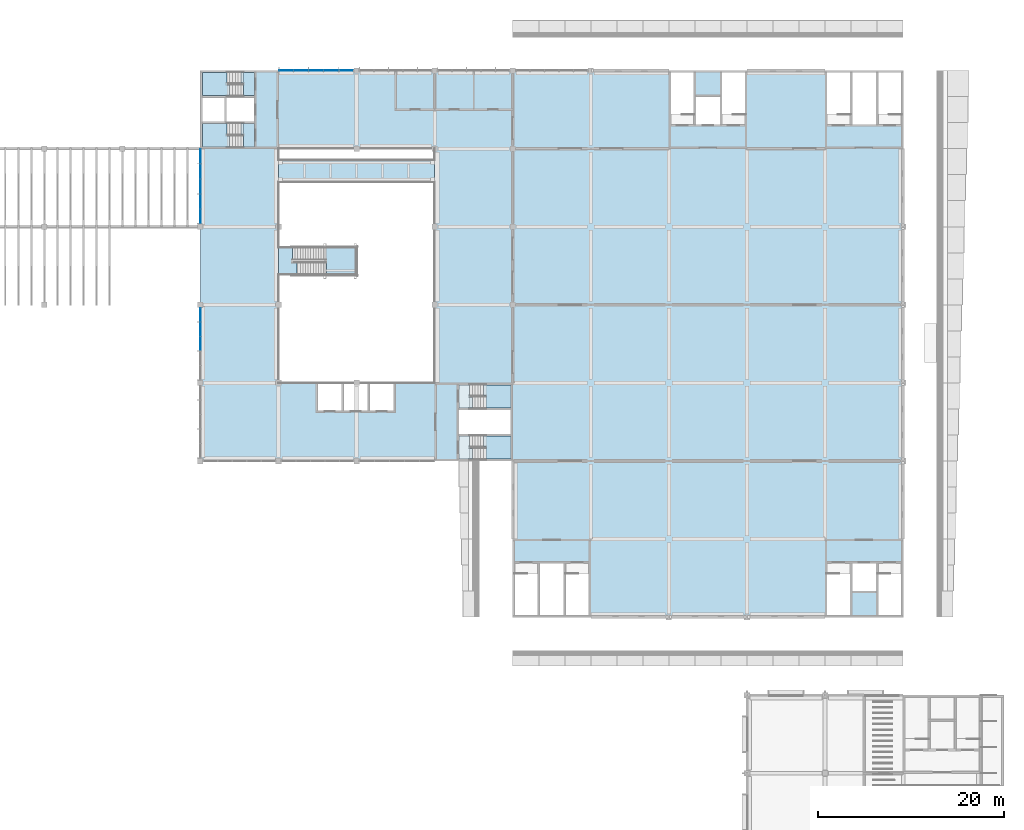
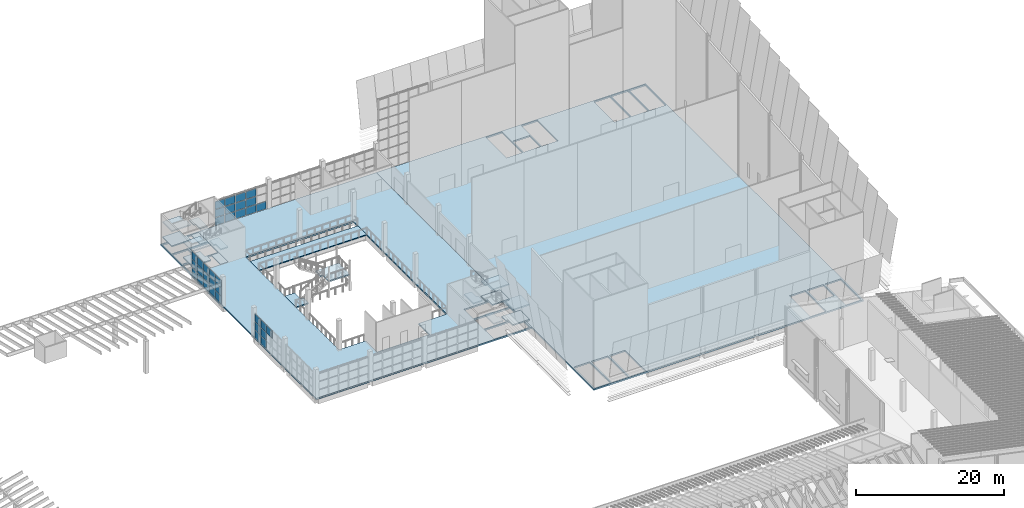
# One storey, part 16 of 59: 35 plates, 19 slabs, 8 elements without a shape of their own.
"""IFC4 building model written with IfcOpenShell, lengths in metres."""

from ifc_helpers import new_model, si_unit, direction, frame, origin, origin_2d, place, context, subcontext, project, spatial, polyline, rectangle, outline, extrude, material, layer, layer_set, type_object, element, aggregate, save


model = new_model("IFC4")

# Units and contexts
model_context = context("Model", 3, precision=1e-05, world=origin(), true_north=direction((0.0, 1.0)))
body_context = subcontext(model_context, "Body", "Model", "MODEL_VIEW")
ifc_project = project(units=[si_unit("LENGTHUNIT", "METRE"), si_unit("AREAUNIT", "SQUARE_METRE"), si_unit("VOLUMEUNIT", "CUBIC_METRE"), si_unit("PLANEANGLEUNIT", "RADIAN"), si_unit("MASSUNIT", "GRAM", prefix="KILO")], contexts=[model_context])

# Site, building, storey
site_placement = place(None, origin())
site = spatial("IfcSite", under=ifc_project, at=site_placement, CompositionType="ELEMENT")
building_placement = place(site_placement, origin())
building = spatial("IfcBuilding", under=site, at=building_placement, Name="Almond Square Museum", CompositionType="ELEMENT")
storey_placement = place(building_placement, frame((0.0, 0.0, 25.0)))
storey = spatial("IfcBuildingStorey", under=building, at=storey_placement, Name="L04", CompositionType="ELEMENT", Elevation=25.0)

# Slab
ifc_material_1 = material(Name="Concrete C35/45", Category="concrete")
ifc_layer_1 = layer(ifc_material_1, 0.14990234375)
ifc_layer_set_1 = layer_set([ifc_layer_1], Name="Concrete C35/45")
slab_type_1 = type_object("IfcSlabType", Name="Bridge deck slab 150", PredefinedType="FLOOR", material=ifc_layer_set_1)
slab_1_placement = place(storey_placement, frame((0.0, 0.0, -0.14990234375)))
element("IfcSlab", 1, at=slab_1_placement, inside=storey, type_object=slab_type_1, Name="Bridge 6 deck", PredefinedType="FLOOR", context=body_context, shape_type="SweptSolid", body=[
    extrude(outline(polyline([(81.60009765625, 97.199951171875), (98.39990234375, 97.199951171875), (98.39990234375, 99.60009765625), (81.60009765625, 99.60009765625), (81.60009765625, 97.199951171875)])), origin(), (0.0, 0.0, 1.0), 0.14990234375),
])

# Stair, slabs
ifc_material_2 = material(Name="Concrete C40/50", Category="concrete")
stair_type_1 = type_object("IfcStairType", Name="Exit stair 28 risers of 179 mm", PredefinedType="HALF_TURN_STAIR", material=ifc_material_2)
stair_1_placement = place(storey_placement, origin())
stair_1 = element("IfcStair", 2, at=stair_1_placement, inside=storey, type_object=stair_type_1, Name="L04 stair A1-1", PredefinedType="HALF_TURN_STAIR")
ifc_material_3 = material(Name="Concrete C40/50", Category="concrete")
ifc_layer_2 = layer(ifc_material_3, 0.199951171875)
ifc_layer_set_2 = layer_set([ifc_layer_2], Name="Concrete C40/50")
slab_type_2 = type_object("IfcSlabType", Name="Concrete stair landing 200", PredefinedType="LANDING", material=ifc_layer_set_2)
slab_2_placement = place(storey_placement, frame((0.0, 0.0, 1.050048828125)))
slab_2 = element("IfcSlab", 3, at=slab_2_placement, type_object=slab_type_2, Name="ST-09 landing 1", PredefinedType="LANDING", context=body_context, shape_type="SweptSolid", body=[
    extrude(outline(polyline([(76.052978515625, 103.5), (73.39990234375, 103.5), (73.39990234375, 101.0), (76.35009765625, 101.0), (76.35009765625, 102.14990234375), (76.052978515625, 102.14990234375), (76.052978515625, 103.5)])), origin(), (0.0, 0.0, 1.0), 0.199951171875),
])
slab_3_placement = place(storey_placement, frame((0.0, 0.0, 2.300048828125)))
slab_3 = element("IfcSlab", 4, at=slab_3_placement, type_object=slab_type_2, Name="ST-09 landing 2", PredefinedType="LANDING", context=body_context, shape_type="SweptSolid", body=[
    extrude(outline(polyline([(79.0, 103.5), (77.85009765625, 103.5), (77.550048828125, 103.5), (77.550048828125, 102.35009765625), (77.846923828125, 102.35009765625), (77.846923828125, 101.0), (79.0, 101.0), (79.0, 103.5)])), origin(), (0.0, 0.0, 1.0), 0.199951171875),
])
slab_4_placement = place(storey_placement, frame((0.0, 0.0, 3.550048828125)))
slab_4 = element("IfcSlab", 5, at=slab_4_placement, type_object=slab_type_2, Name="ST-09 landing 3", PredefinedType="LANDING", context=body_context, shape_type="SweptSolid", body=[
    extrude(outline(polyline([(76.052978515625, 103.5), (73.39990234375, 103.5), (73.39990234375, 101.0), (76.35009765625, 101.0), (76.35009765625, 102.14990234375), (76.052978515625, 102.14990234375), (76.052978515625, 103.5)])), origin(), (0.0, 0.0, 1.0), 0.199951171875),
])
aggregate(stair_1, [slab_2, slab_3, slab_4])

stair_2_placement = place(storey_placement, origin())
stair_2 = element("IfcStair", 6, at=stair_2_placement, inside=storey, type_object=stair_type_1, Name="L04 stair A1-2", PredefinedType="HALF_TURN_STAIR")
slab_5_placement = place(storey_placement, frame((0.0, 0.0, 1.050048828125)))
slab_5 = element("IfcSlab", 7, at=slab_5_placement, type_object=slab_type_2, Name="ST-10 landing 1", PredefinedType="LANDING", context=body_context, shape_type="SweptSolid", body=[
    extrude(outline(polyline([(76.052978515625, 109.0), (73.39990234375, 109.0), (73.39990234375, 106.5), (76.35009765625, 106.5), (76.35009765625, 107.64990234375), (76.052978515625, 107.64990234375), (76.052978515625, 109.0)])), origin(), (0.0, 0.0, 1.0), 0.199951171875),
])
slab_6_placement = place(storey_placement, frame((0.0, 0.0, 2.300048828125)))
slab_6 = element("IfcSlab", 8, at=slab_6_placement, type_object=slab_type_2, Name="ST-10 landing 2", PredefinedType="LANDING", context=body_context, shape_type="SweptSolid", body=[
    extrude(outline(polyline([(79.0, 109.0), (77.85009765625, 109.0), (77.550048828125, 109.0), (77.550048828125, 107.85009765625), (77.846923828125, 107.85009765625), (77.846923828125, 106.5), (79.0, 106.5), (79.0, 109.0)])), origin(), (0.0, 0.0, 1.0), 0.199951171875),
])
slab_7_placement = place(storey_placement, frame((0.0, 0.0, 3.550048828125)))
slab_7 = element("IfcSlab", 9, at=slab_7_placement, type_object=slab_type_2, Name="ST-10 landing 3", PredefinedType="LANDING", context=body_context, shape_type="SweptSolid", body=[
    extrude(outline(polyline([(76.052978515625, 109.0), (73.39990234375, 109.0), (73.39990234375, 106.5), (76.35009765625, 106.5), (76.35009765625, 107.64990234375), (76.052978515625, 107.64990234375), (76.052978515625, 109.0)])), origin(), (0.0, 0.0, 1.0), 0.199951171875),
])
aggregate(stair_2, [slab_5, slab_6, slab_7])

stair_3_placement = place(storey_placement, origin())
stair_3 = element("IfcStair", 10, at=stair_3_placement, inside=storey, type_object=stair_type_1, Name="L04 stair A2-1", PredefinedType="HALF_TURN_STAIR")
slab_8_placement = place(storey_placement, frame((0.0, 0.0, 1.050048828125)))
slab_8 = element("IfcSlab", 11, at=slab_8_placement, type_object=slab_type_2, Name="ST-11 landing 1", PredefinedType="LANDING", context=body_context, shape_type="SweptSolid", body=[
    extrude(outline(polyline([(103.947021484375, 67.39990234375), (106.60009765625, 67.39990234375), (106.60009765625, 69.89990234375), (103.64990234375, 69.89990234375), (103.64990234375, 68.75), (103.947021484375, 68.75), (103.947021484375, 67.39990234375)])), origin(), (0.0, 0.0, 1.0), 0.199951171875),
])
slab_9_placement = place(storey_placement, frame((0.0, 0.0, 2.300048828125)))
slab_9 = element("IfcSlab", 12, at=slab_9_placement, type_object=slab_type_2, Name="ST-11 landing 2", PredefinedType="LANDING", context=body_context, shape_type="SweptSolid", body=[
    extrude(outline(polyline([(101.0, 67.39990234375), (102.14990234375, 67.39990234375), (102.449951171875, 67.39990234375), (102.449951171875, 68.550048828125), (102.153076171875, 68.550048828125), (102.153076171875, 69.89990234375), (101.0, 69.89990234375), (101.0, 67.39990234375)])), origin(), (0.0, 0.0, 1.0), 0.199951171875),
])
slab_10_placement = place(storey_placement, frame((0.0, 0.0, 3.550048828125)))
slab_10 = element("IfcSlab", 13, at=slab_10_placement, type_object=slab_type_2, Name="ST-11 landing 3", PredefinedType="LANDING", context=body_context, shape_type="SweptSolid", body=[
    extrude(outline(polyline([(103.947021484375, 67.39990234375), (106.60009765625, 67.39990234375), (106.60009765625, 69.89990234375), (103.64990234375, 69.89990234375), (103.64990234375, 68.75), (103.947021484375, 68.75), (103.947021484375, 67.39990234375)])), origin(), (0.0, 0.0, 1.0), 0.199951171875),
])
aggregate(stair_3, [slab_8, slab_9, slab_10])

stair_4_placement = place(storey_placement, origin())
stair_4 = element("IfcStair", 14, at=stair_4_placement, inside=storey, type_object=stair_type_1, Name="L04 stair A2-2", PredefinedType="HALF_TURN_STAIR")
slab_11_placement = place(storey_placement, frame((0.0, 0.0, 1.050048828125)))
slab_11 = element("IfcSlab", 15, at=slab_11_placement, type_object=slab_type_2, Name="ST-12 landing 1", PredefinedType="LANDING", context=body_context, shape_type="SweptSolid", body=[
    extrude(outline(polyline([(103.947021484375, 72.89990234375), (106.60009765625, 72.89990234375), (106.60009765625, 75.39990234375), (103.64990234375, 75.39990234375), (103.64990234375, 74.25), (103.947021484375, 74.25), (103.947021484375, 72.89990234375)])), origin(), (0.0, 0.0, 1.0), 0.199951171875),
])
slab_12_placement = place(storey_placement, frame((0.0, 0.0, 2.300048828125)))
slab_12 = element("IfcSlab", 16, at=slab_12_placement, type_object=slab_type_2, Name="ST-12 landing 2", PredefinedType="LANDING", context=body_context, shape_type="SweptSolid", body=[
    extrude(outline(polyline([(101.0, 72.89990234375), (102.14990234375, 72.89990234375), (102.449951171875, 72.89990234375), (102.449951171875, 74.050048828125), (102.153076171875, 74.050048828125), (102.153076171875, 75.39990234375), (101.0, 75.39990234375), (101.0, 72.89990234375)])), origin(), (0.0, 0.0, 1.0), 0.199951171875),
])
slab_13_placement = place(storey_placement, frame((0.0, 0.0, 3.550048828125)))
slab_13 = element("IfcSlab", 17, at=slab_13_placement, type_object=slab_type_2, Name="ST-12 landing 3", PredefinedType="LANDING", context=body_context, shape_type="SweptSolid", body=[
    extrude(outline(polyline([(103.947021484375, 72.89990234375), (106.60009765625, 72.89990234375), (106.60009765625, 75.39990234375), (103.64990234375, 75.39990234375), (103.64990234375, 74.25), (103.947021484375, 74.25), (103.947021484375, 72.89990234375)])), origin(), (0.0, 0.0, 1.0), 0.199951171875),
])
aggregate(stair_4, [slab_11, slab_12, slab_13])

# Slabs
slab_14_placement = place(storey_placement, frame((0.0, 0.0, -0.199951171875)))
element("IfcSlab", 18, at=slab_14_placement, inside=storey, type_object=slab_type_2, Name="L04 stair A1-1 floor landing", PredefinedType="LANDING", context=body_context, shape_type="SweptSolid", body=[
    extrude(outline(polyline([(77.846923828125, 101.0), (79.0, 101.0), (79.0, 103.5), (77.846923828125, 103.5), (77.846923828125, 101.0)])), origin(), (0.0, 0.0, 1.0), 0.199951171875),
])
slab_15_placement = place(storey_placement, frame((0.0, 0.0, -0.199951171875)))
element("IfcSlab", 19, at=slab_15_placement, inside=storey, type_object=slab_type_2, Name="L04 stair A1-2 floor landing", PredefinedType="LANDING", context=body_context, shape_type="SweptSolid", body=[
    extrude(outline(polyline([(77.846923828125, 106.5), (79.0, 106.5), (79.0, 109.0), (77.846923828125, 109.0), (77.846923828125, 106.5)])), origin(), (0.0, 0.0, 1.0), 0.199951171875),
])

# Stair, slab
ifc_material_4 = material(Name="Concrete C40/50", Category="concrete")
stair_type_2 = type_object("IfcStairType", Name="Feature stair 1400 open flights", PredefinedType="HALF_TURN_STAIR", material=ifc_material_4)
stair_5_placement = place(storey_placement, origin())
stair_5 = element("IfcStair", 20, at=stair_5_placement, inside=storey, type_object=stair_type_2, Name="L04 atrium feature stair", PredefinedType="HALF_TURN_STAIR")
ifc_material_5 = material(Name="Concrete C40/50", Category="concrete")
ifc_layer_3 = layer(ifc_material_5, 0.199951171875)
ifc_layer_set_3 = layer_set([ifc_layer_3], Name="Concrete C40/50")
slab_type_3 = type_object("IfcSlabType", Name="Feature stair landing 200", PredefinedType="LANDING", material=ifc_layer_set_3)
slab_16_placement = place(storey_placement, frame((0.0, 0.0, 2.300048828125)))
slab_16 = element("IfcSlab", 21, at=slab_16_placement, type_object=slab_type_3, Name="ST-F landing 1", PredefinedType="LANDING", context=body_context, shape_type="SweptSolid", body=[
    extrude(outline(polyline([(86.737060546875, 87.199951171875), (90.0, 87.199951171875), (90.0, 90.199951171875), (86.344970703125, 90.199951171875), (86.344970703125, 88.800048828125), (86.737060546875, 88.800048828125), (86.737060546875, 87.199951171875)])), origin(), (0.0, 0.0, 1.0), 0.199951171875),
])
aggregate(stair_5, [slab_16])

# Slab
slab_17_placement = place(storey_placement, frame((0.0, 0.0, -0.199951171875)))
element("IfcSlab", 22, at=slab_17_placement, inside=storey, type_object=slab_type_3, Name="L04 atrium feature stair floor landing", PredefinedType="LANDING", context=body_context, shape_type="SweptSolid", body=[
    extrude(outline(polyline([(81.60009765625, 87.199951171875), (83.56494140625, 87.199951171875), (83.56494140625, 88.60009765625), (83.10302734375, 88.60009765625), (83.10302734375, 90.199951171875), (81.60009765625, 90.199951171875), (81.60009765625, 87.199951171875)])), origin(), (0.0, 0.0, 1.0), 0.199951171875),
])

# Curtain wall, plates
ifc_material_6 = material(Name="Aluminium and laminated glass", Category="aluminium")
curtain_wall_type = type_object("IfcCurtainWallType", Name="Unitised curtain wall 1500 module", PredefinedType="NOTDEFINED", material=ifc_material_6)
curtain_wall_1_placement = place(storey_placement, origin())
curtain_wall_1 = element("IfcCurtainWall", 23, at=curtain_wall_1_placement, inside=storey, type_object=curtain_wall_type, Name="Curtain wall CW-43", PredefinedType="NOTDEFINED")
ifc_material_7 = material(Name="Laminated hurricane-rated glass", Category="glass")
ifc_layer_4 = layer(ifc_material_7, 0.035888671875)
ifc_layer_set_4 = layer_set([ifc_layer_4], Name="Laminated hurricane-rated glass")
plate_type = type_object("IfcPlateType", Name="Laminated glass panel 36", PredefinedType="CURTAIN_PANEL", material=ifc_layer_set_4)
plate_1_placement = place(storey_placement, frame((82.425048828125, 109.199951171875, 0.06005859375), z_axis=(0.0, 0.0, 1.0), x_axis=(1.0, 0.0, 0.0)))
plate_1 = element("IfcPlate", 24, at=plate_1_placement, type_object=plate_type, Name="CW-43 panel 1.1", PredefinedType="CURTAIN_PANEL", context=body_context, shape_type="SweptSolid", body=[
    extrude(rectangle(XDim=1.530029296875, YDim=0.035888671875, at=origin_2d()), origin(), (0.0, 0.0, 1.0), 1.260009765625),
])
plate_2_placement = place(storey_placement, frame((82.425048828125, 109.199951171875, 1.3798828125), z_axis=(0.0, 0.0, 1.0), x_axis=(1.0, 0.0, 0.0)))
plate_2 = element("IfcPlate", 25, at=plate_2_placement, type_object=plate_type, Name="CW-43 panel 1.2", PredefinedType="CURTAIN_PANEL", context=body_context, shape_type="SweptSolid", body=[
    extrude(rectangle(XDim=1.530029296875, YDim=0.035888671875, at=origin_2d()), origin(), (0.0, 0.0, 1.0), 1.2900390625),
])
plate_3_placement = place(storey_placement, frame((82.425048828125, 109.199951171875, 2.72998046875), z_axis=(0.0, 0.0, 1.0), x_axis=(1.0, 0.0, 0.0)))
plate_3 = element("IfcPlate", 26, at=plate_3_placement, type_object=plate_type, Name="CW-43 panel 1.3", PredefinedType="CURTAIN_PANEL", context=body_context, shape_type="SweptSolid", body=[
    extrude(rectangle(XDim=1.530029296875, YDim=0.035888671875, at=origin_2d()), origin(), (0.0, 0.0, 1.0), 1.260009765625),
])
plate_4_placement = place(storey_placement, frame((84.030029296875, 109.199951171875, 0.06005859375), z_axis=(0.0, 0.0, 1.0), x_axis=(1.0, 0.0, 0.0)))
plate_4 = element("IfcPlate", 27, at=plate_4_placement, type_object=plate_type, Name="CW-43 panel 2.1", PredefinedType="CURTAIN_PANEL", context=body_context, shape_type="SweptSolid", body=[
    extrude(rectangle(XDim=1.56005859375, YDim=0.035888671875, at=origin_2d()), origin(), (0.0, 0.0, 1.0), 1.260009765625),
])
plate_5_placement = place(storey_placement, frame((84.030029296875, 109.199951171875, 1.3798828125), z_axis=(0.0, 0.0, 1.0), x_axis=(1.0, 0.0, 0.0)))
plate_5 = element("IfcPlate", 28, at=plate_5_placement, type_object=plate_type, Name="CW-43 panel 2.2", PredefinedType="CURTAIN_PANEL", context=body_context, shape_type="SweptSolid", body=[
    extrude(rectangle(XDim=1.56005859375, YDim=0.035888671875, at=origin_2d()), origin(), (0.0, 0.0, 1.0), 1.2900390625),
])
plate_6_placement = place(storey_placement, frame((84.030029296875, 109.199951171875, 2.72998046875), z_axis=(0.0, 0.0, 1.0), x_axis=(1.0, 0.0, 0.0)))
plate_6 = element("IfcPlate", 29, at=plate_6_placement, type_object=plate_type, Name="CW-43 panel 2.3", PredefinedType="CURTAIN_PANEL", context=body_context, shape_type="SweptSolid", body=[
    extrude(rectangle(XDim=1.56005859375, YDim=0.035888671875, at=origin_2d()), origin(), (0.0, 0.0, 1.0), 1.260009765625),
])
plate_7_placement = place(storey_placement, frame((85.64990234375, 109.199951171875, 0.06005859375), z_axis=(0.0, 0.0, 1.0), x_axis=(1.0, 0.0, 0.0)))
plate_7 = element("IfcPlate", 30, at=plate_7_placement, type_object=plate_type, Name="CW-43 panel 3.1", PredefinedType="CURTAIN_PANEL", context=body_context, shape_type="SweptSolid", body=[
    extrude(rectangle(XDim=1.56005859375, YDim=0.035888671875, at=origin_2d()), origin(), (0.0, 0.0, 1.0), 1.260009765625),
])
plate_8_placement = place(storey_placement, frame((85.64990234375, 109.199951171875, 1.3798828125), z_axis=(0.0, 0.0, 1.0), x_axis=(1.0, 0.0, 0.0)))
plate_8 = element("IfcPlate", 31, at=plate_8_placement, type_object=plate_type, Name="CW-43 panel 3.2", PredefinedType="CURTAIN_PANEL", context=body_context, shape_type="SweptSolid", body=[
    extrude(rectangle(XDim=1.56005859375, YDim=0.035888671875, at=origin_2d()), origin(), (0.0, 0.0, 1.0), 1.2900390625),
])
plate_9_placement = place(storey_placement, frame((85.64990234375, 109.199951171875, 2.72998046875), z_axis=(0.0, 0.0, 1.0), x_axis=(1.0, 0.0, 0.0)))
plate_9 = element("IfcPlate", 32, at=plate_9_placement, type_object=plate_type, Name="CW-43 panel 3.3", PredefinedType="CURTAIN_PANEL", context=body_context, shape_type="SweptSolid", body=[
    extrude(rectangle(XDim=1.56005859375, YDim=0.035888671875, at=origin_2d()), origin(), (0.0, 0.0, 1.0), 1.260009765625),
])
plate_10_placement = place(storey_placement, frame((87.27001953125, 109.199951171875, 0.06005859375), z_axis=(0.0, 0.0, 1.0), x_axis=(1.0, 0.0, 0.0)))
plate_10 = element("IfcPlate", 33, at=plate_10_placement, type_object=plate_type, Name="CW-43 panel 4.1", PredefinedType="CURTAIN_PANEL", context=body_context, shape_type="SweptSolid", body=[
    extrude(rectangle(XDim=1.56005859375, YDim=0.035888671875, at=origin_2d()), origin(), (0.0, 0.0, 1.0), 1.260009765625),
])
plate_11_placement = place(storey_placement, frame((87.27001953125, 109.199951171875, 1.3798828125), z_axis=(0.0, 0.0, 1.0), x_axis=(1.0, 0.0, 0.0)))
plate_11 = element("IfcPlate", 34, at=plate_11_placement, type_object=plate_type, Name="CW-43 panel 4.2", PredefinedType="CURTAIN_PANEL", context=body_context, shape_type="SweptSolid", body=[
    extrude(rectangle(XDim=1.56005859375, YDim=0.035888671875, at=origin_2d()), origin(), (0.0, 0.0, 1.0), 1.2900390625),
])
plate_12_placement = place(storey_placement, frame((87.27001953125, 109.199951171875, 2.72998046875), z_axis=(0.0, 0.0, 1.0), x_axis=(1.0, 0.0, 0.0)))
plate_12 = element("IfcPlate", 35, at=plate_12_placement, type_object=plate_type, Name="CW-43 panel 4.3", PredefinedType="CURTAIN_PANEL", context=body_context, shape_type="SweptSolid", body=[
    extrude(rectangle(XDim=1.56005859375, YDim=0.035888671875, at=origin_2d()), origin(), (0.0, 0.0, 1.0), 1.260009765625),
])
plate_13_placement = place(storey_placement, frame((88.875, 109.199951171875, 0.06005859375), z_axis=(0.0, 0.0, 1.0), x_axis=(1.0, 0.0, 0.0)))
plate_13 = element("IfcPlate", 36, at=plate_13_placement, type_object=plate_type, Name="CW-43 panel 5.1", PredefinedType="CURTAIN_PANEL", context=body_context, shape_type="SweptSolid", body=[
    extrude(rectangle(XDim=1.530029296875, YDim=0.035888671875, at=origin_2d()), origin(), (0.0, 0.0, 1.0), 1.260009765625),
])
aggregate(curtain_wall_1, [plate_1, plate_2, plate_3, plate_4, plate_5, plate_6, plate_7, plate_8, plate_9, plate_10, plate_11, plate_12, plate_13])

curtain_wall_2_placement = place(storey_placement, origin())
curtain_wall_2 = element("IfcCurtainWall", 37, at=curtain_wall_2_placement, inside=storey, type_object=curtain_wall_type, Name="Curtain wall CW-44", PredefinedType="NOTDEFINED")
plate_14_placement = place(storey_placement, frame((73.199951171875, 93.52490234375, 0.06005859375), z_axis=(0.0, 0.0, 1.0), x_axis=(0.0, 1.0, 0.0)))
plate_14 = element("IfcPlate", 38, at=plate_14_placement, type_object=plate_type, Name="CW-44 panel 1.1", PredefinedType="CURTAIN_PANEL", context=body_context, shape_type="SweptSolid", body=[
    extrude(rectangle(XDim=1.530029296875, YDim=0.035888671875, at=origin_2d()), origin(), (0.0, 0.0, 1.0), 1.260009765625),
])
plate_15_placement = place(storey_placement, frame((73.199951171875, 93.52490234375, 1.3798828125), z_axis=(0.0, 0.0, 1.0), x_axis=(0.0, 1.0, 0.0)))
plate_15 = element("IfcPlate", 39, at=plate_15_placement, type_object=plate_type, Name="CW-44 panel 1.2", PredefinedType="CURTAIN_PANEL", context=body_context, shape_type="SweptSolid", body=[
    extrude(rectangle(XDim=1.530029296875, YDim=0.035888671875, at=origin_2d()), origin(), (0.0, 0.0, 1.0), 1.2900390625),
])
plate_16_placement = place(storey_placement, frame((73.199951171875, 93.52490234375, 2.72998046875), z_axis=(0.0, 0.0, 1.0), x_axis=(0.0, 1.0, 0.0)))
plate_16 = element("IfcPlate", 40, at=plate_16_placement, type_object=plate_type, Name="CW-44 panel 1.3", PredefinedType="CURTAIN_PANEL", context=body_context, shape_type="SweptSolid", body=[
    extrude(rectangle(XDim=1.530029296875, YDim=0.035888671875, at=origin_2d()), origin(), (0.0, 0.0, 1.0), 1.260009765625),
])
plate_17_placement = place(storey_placement, frame((73.199951171875, 95.1298828125, 0.06005859375), z_axis=(0.0, 0.0, 1.0), x_axis=(0.0, 1.0, 0.0)))
plate_17 = element("IfcPlate", 41, at=plate_17_placement, type_object=plate_type, Name="CW-44 panel 2.1", PredefinedType="CURTAIN_PANEL", context=body_context, shape_type="SweptSolid", body=[
    extrude(rectangle(XDim=1.56005859375, YDim=0.035888671875, at=origin_2d()), origin(), (0.0, 0.0, 1.0), 1.260009765625),
])
plate_18_placement = place(storey_placement, frame((73.199951171875, 95.1298828125, 1.3798828125), z_axis=(0.0, 0.0, 1.0), x_axis=(0.0, 1.0, 0.0)))
plate_18 = element("IfcPlate", 42, at=plate_18_placement, type_object=plate_type, Name="CW-44 panel 2.2", PredefinedType="CURTAIN_PANEL", context=body_context, shape_type="SweptSolid", body=[
    extrude(rectangle(XDim=1.56005859375, YDim=0.035888671875, at=origin_2d()), origin(), (0.0, 0.0, 1.0), 1.2900390625),
])
plate_19_placement = place(storey_placement, frame((73.199951171875, 95.1298828125, 2.72998046875), z_axis=(0.0, 0.0, 1.0), x_axis=(0.0, 1.0, 0.0)))
plate_19 = element("IfcPlate", 43, at=plate_19_placement, type_object=plate_type, Name="CW-44 panel 2.3", PredefinedType="CURTAIN_PANEL", context=body_context, shape_type="SweptSolid", body=[
    extrude(rectangle(XDim=1.56005859375, YDim=0.035888671875, at=origin_2d()), origin(), (0.0, 0.0, 1.0), 1.260009765625),
])
plate_20_placement = place(storey_placement, frame((73.199951171875, 96.75, 0.06005859375), z_axis=(0.0, 0.0, 1.0), x_axis=(0.0, 1.0, 0.0)))
plate_20 = element("IfcPlate", 44, at=plate_20_placement, type_object=plate_type, Name="CW-44 panel 3.1", PredefinedType="CURTAIN_PANEL", context=body_context, shape_type="SweptSolid", body=[
    extrude(rectangle(XDim=1.56005859375, YDim=0.035888671875, at=origin_2d()), origin(), (0.0, 0.0, 1.0), 1.260009765625),
])
plate_21_placement = place(storey_placement, frame((73.199951171875, 96.75, 1.3798828125), z_axis=(0.0, 0.0, 1.0), x_axis=(0.0, 1.0, 0.0)))
plate_21 = element("IfcPlate", 45, at=plate_21_placement, type_object=plate_type, Name="CW-44 panel 3.2", PredefinedType="CURTAIN_PANEL", context=body_context, shape_type="SweptSolid", body=[
    extrude(rectangle(XDim=1.56005859375, YDim=0.035888671875, at=origin_2d()), origin(), (0.0, 0.0, 1.0), 1.2900390625),
])
plate_22_placement = place(storey_placement, frame((73.199951171875, 96.75, 2.72998046875), z_axis=(0.0, 0.0, 1.0), x_axis=(0.0, 1.0, 0.0)))
plate_22 = element("IfcPlate", 46, at=plate_22_placement, type_object=plate_type, Name="CW-44 panel 3.3", PredefinedType="CURTAIN_PANEL", context=body_context, shape_type="SweptSolid", body=[
    extrude(rectangle(XDim=1.56005859375, YDim=0.035888671875, at=origin_2d()), origin(), (0.0, 0.0, 1.0), 1.260009765625),
])
plate_23_placement = place(storey_placement, frame((73.199951171875, 98.3701171875, 0.06005859375), z_axis=(0.0, 0.0, 1.0), x_axis=(0.0, 1.0, 0.0)))
plate_23 = element("IfcPlate", 47, at=plate_23_placement, type_object=plate_type, Name="CW-44 panel 4.1", PredefinedType="CURTAIN_PANEL", context=body_context, shape_type="SweptSolid", body=[
    extrude(rectangle(XDim=1.56005859375, YDim=0.035888671875, at=origin_2d()), origin(), (0.0, 0.0, 1.0), 1.260009765625),
])
plate_24_placement = place(storey_placement, frame((73.199951171875, 98.3701171875, 1.3798828125), z_axis=(0.0, 0.0, 1.0), x_axis=(0.0, 1.0, 0.0)))
plate_24 = element("IfcPlate", 48, at=plate_24_placement, type_object=plate_type, Name="CW-44 panel 4.2", PredefinedType="CURTAIN_PANEL", context=body_context, shape_type="SweptSolid", body=[
    extrude(rectangle(XDim=1.56005859375, YDim=0.035888671875, at=origin_2d()), origin(), (0.0, 0.0, 1.0), 1.2900390625),
])
plate_25_placement = place(storey_placement, frame((73.199951171875, 98.3701171875, 2.72998046875), z_axis=(0.0, 0.0, 1.0), x_axis=(0.0, 1.0, 0.0)))
plate_25 = element("IfcPlate", 49, at=plate_25_placement, type_object=plate_type, Name="CW-44 panel 4.3", PredefinedType="CURTAIN_PANEL", context=body_context, shape_type="SweptSolid", body=[
    extrude(rectangle(XDim=1.56005859375, YDim=0.035888671875, at=origin_2d()), origin(), (0.0, 0.0, 1.0), 1.260009765625),
])
plate_26_placement = place(storey_placement, frame((73.199951171875, 99.97509765625, 0.06005859375), z_axis=(0.0, 0.0, 1.0), x_axis=(0.0, 1.0, 0.0)))
plate_26 = element("IfcPlate", 50, at=plate_26_placement, type_object=plate_type, Name="CW-44 panel 5.1", PredefinedType="CURTAIN_PANEL", context=body_context, shape_type="SweptSolid", body=[
    extrude(rectangle(XDim=1.530029296875, YDim=0.035888671875, at=origin_2d()), origin(), (0.0, 0.0, 1.0), 1.260009765625),
])
plate_27_placement = place(storey_placement, frame((73.199951171875, 99.97509765625, 1.3798828125), z_axis=(0.0, 0.0, 1.0), x_axis=(0.0, 1.0, 0.0)))
plate_27 = element("IfcPlate", 51, at=plate_27_placement, type_object=plate_type, Name="CW-44 panel 5.2", PredefinedType="CURTAIN_PANEL", context=body_context, shape_type="SweptSolid", body=[
    extrude(rectangle(XDim=1.530029296875, YDim=0.035888671875, at=origin_2d()), origin(), (0.0, 0.0, 1.0), 1.2900390625),
])
plate_28_placement = place(storey_placement, frame((73.199951171875, 99.97509765625, 2.72998046875), z_axis=(0.0, 0.0, 1.0), x_axis=(0.0, 1.0, 0.0)))
plate_28 = element("IfcPlate", 52, at=plate_28_placement, type_object=plate_type, Name="CW-44 panel 5.3", PredefinedType="CURTAIN_PANEL", context=body_context, shape_type="SweptSolid", body=[
    extrude(rectangle(XDim=1.530029296875, YDim=0.035888671875, at=origin_2d()), origin(), (0.0, 0.0, 1.0), 1.260009765625),
])
aggregate(curtain_wall_2, [plate_14, plate_15, plate_16, plate_17, plate_18, plate_19, plate_20, plate_21, plate_22, plate_23, plate_24, plate_25, plate_26, plate_27, plate_28])

curtain_wall_3_placement = place(storey_placement, origin())
curtain_wall_3 = element("IfcCurtainWall", 53, at=curtain_wall_3_placement, inside=storey, type_object=curtain_wall_type, Name="Curtain wall CW-45", PredefinedType="NOTDEFINED")
plate_29_placement = place(storey_placement, frame((73.199951171875, 79.800048828125, 2.72998046875), z_axis=(0.0, 0.0, 1.0), x_axis=(0.0, 1.0, 0.0)))
plate_29 = element("IfcPlate", 54, at=plate_29_placement, type_object=plate_type, Name="CW-45 panel 3.3", PredefinedType="CURTAIN_PANEL", context=body_context, shape_type="SweptSolid", body=[
    extrude(rectangle(XDim=1.5, YDim=0.035888671875, at=origin_2d()), origin(), (0.0, 0.0, 1.0), 1.260009765625),
])
plate_30_placement = place(storey_placement, frame((73.199951171875, 81.360107421875, 0.06005859375), z_axis=(0.0, 0.0, 1.0), x_axis=(0.0, 1.0, 0.0)))
plate_30 = element("IfcPlate", 55, at=plate_30_placement, type_object=plate_type, Name="CW-45 panel 4.1", PredefinedType="CURTAIN_PANEL", context=body_context, shape_type="SweptSolid", body=[
    extrude(rectangle(XDim=1.5, YDim=0.035888671875, at=origin_2d()), origin(), (0.0, 0.0, 1.0), 1.260009765625),
])
plate_31_placement = place(storey_placement, frame((73.199951171875, 81.360107421875, 1.3798828125), z_axis=(0.0, 0.0, 1.0), x_axis=(0.0, 1.0, 0.0)))
plate_31 = element("IfcPlate", 56, at=plate_31_placement, type_object=plate_type, Name="CW-45 panel 4.2", PredefinedType="CURTAIN_PANEL", context=body_context, shape_type="SweptSolid", body=[
    extrude(rectangle(XDim=1.5, YDim=0.035888671875, at=origin_2d()), origin(), (0.0, 0.0, 1.0), 1.2900390625),
])
plate_32_placement = place(storey_placement, frame((73.199951171875, 81.360107421875, 2.72998046875), z_axis=(0.0, 0.0, 1.0), x_axis=(0.0, 1.0, 0.0)))
plate_32 = element("IfcPlate", 57, at=plate_32_placement, type_object=plate_type, Name="CW-45 panel 4.3", PredefinedType="CURTAIN_PANEL", context=body_context, shape_type="SweptSolid", body=[
    extrude(rectangle(XDim=1.5, YDim=0.035888671875, at=origin_2d()), origin(), (0.0, 0.0, 1.0), 1.260009765625),
])
plate_33_placement = place(storey_placement, frame((73.199951171875, 82.905029296875, 0.06005859375), z_axis=(0.0, 0.0, 1.0), x_axis=(0.0, 1.0, 0.0)))
plate_33 = element("IfcPlate", 58, at=plate_33_placement, type_object=plate_type, Name="CW-45 panel 5.1", PredefinedType="CURTAIN_PANEL", context=body_context, shape_type="SweptSolid", body=[
    extrude(rectangle(XDim=1.469970703125, YDim=0.035888671875, at=origin_2d()), origin(), (0.0, 0.0, 1.0), 1.260009765625),
])
plate_34_placement = place(storey_placement, frame((73.199951171875, 82.905029296875, 1.3798828125), z_axis=(0.0, 0.0, 1.0), x_axis=(0.0, 1.0, 0.0)))
plate_34 = element("IfcPlate", 59, at=plate_34_placement, type_object=plate_type, Name="CW-45 panel 5.2", PredefinedType="CURTAIN_PANEL", context=body_context, shape_type="SweptSolid", body=[
    extrude(rectangle(XDim=1.469970703125, YDim=0.035888671875, at=origin_2d()), origin(), (0.0, 0.0, 1.0), 1.2900390625),
])
plate_35_placement = place(storey_placement, frame((73.199951171875, 82.905029296875, 2.72998046875), z_axis=(0.0, 0.0, 1.0), x_axis=(0.0, 1.0, 0.0)))
plate_35 = element("IfcPlate", 60, at=plate_35_placement, type_object=plate_type, Name="CW-45 panel 5.3", PredefinedType="CURTAIN_PANEL", context=body_context, shape_type="SweptSolid", body=[
    extrude(rectangle(XDim=1.469970703125, YDim=0.035888671875, at=origin_2d()), origin(), (0.0, 0.0, 1.0), 1.260009765625),
])
aggregate(curtain_wall_3, [plate_29, plate_30, plate_31, plate_32, plate_33, plate_34, plate_35])

# Slabs
ifc_material_8 = material(Name="Concrete C40/50", Category="concrete")
ifc_layer_5 = layer(ifc_material_8, 0.25)
ifc_layer_set_5 = layer_set([ifc_layer_5], Name="Concrete C40/50")
slab_type_4 = type_object("IfcSlabType", Name="RC floor slab 250 C40/50", PredefinedType="FLOOR", material=ifc_layer_set_5)
slab_18_placement = place(storey_placement, frame((0.0, 0.0, -0.25)))
element("IfcSlab", 61, at=slab_18_placement, inside=storey, type_object=slab_type_4, Name="Floor slab L04 V1", PredefinedType="FLOOR", context=body_context, shape_type="SweptSolid", body=[
    extrude(outline(polyline([(148.800048828125, 50.39990234375), (106.800048828125, 50.39990234375), (106.800048828125, 67.199951171875), (106.800048828125, 109.199951171875), (148.800048828125, 109.199951171875), (148.800048828125, 50.39990234375)]), holes=[polyline([(112.300048828125, 50.60009765625), (112.300048828125, 56.199951171875), (109.699951171875, 56.199951171875), (109.699951171875, 50.60009765625), (112.300048828125, 50.60009765625)]), polyline([(109.5, 50.60009765625), (109.5, 56.199951171875), (107.0, 56.199951171875), (107.0, 50.60009765625), (109.5, 50.60009765625)]), polyline([(140.60009765625, 50.60009765625), (143.10009765625, 50.60009765625), (143.10009765625, 56.199951171875), (140.60009765625, 56.199951171875), (140.60009765625, 50.60009765625)]), polyline([(148.60009765625, 50.60009765625), (148.60009765625, 56.199951171875), (146.10009765625, 56.199951171875), (146.10009765625, 50.60009765625), (148.60009765625, 50.60009765625)]), polyline([(115.0, 50.60009765625), (115.0, 56.199951171875), (112.5, 56.199951171875), (112.5, 50.60009765625), (115.0, 50.60009765625)]), polyline([(145.89990234375, 53.199951171875), (145.89990234375, 56.199951171875), (143.300048828125, 56.199951171875), (143.300048828125, 53.199951171875), (145.89990234375, 53.199951171875)]), polyline([(129.10009765625, 103.39990234375), (129.10009765625, 106.39990234375), (126.5, 106.39990234375), (126.5, 103.39990234375), (129.10009765625, 103.39990234375)]), polyline([(145.89990234375, 103.39990234375), (145.89990234375, 109.0), (143.300048828125, 109.0), (143.300048828125, 103.39990234375), (145.89990234375, 103.39990234375)]), polyline([(148.60009765625, 103.39990234375), (148.60009765625, 109.0), (146.10009765625, 109.0), (146.10009765625, 103.39990234375), (148.60009765625, 103.39990234375)]), polyline([(143.10009765625, 103.39990234375), (143.10009765625, 109.0), (140.60009765625, 109.0), (140.60009765625, 103.39990234375), (143.10009765625, 103.39990234375)]), polyline([(129.300048828125, 103.39990234375), (131.800048828125, 103.39990234375), (131.800048828125, 109.0), (129.300048828125, 109.0), (129.300048828125, 103.39990234375)]), polyline([(123.800048828125, 103.39990234375), (126.300048828125, 103.39990234375), (126.300048828125, 109.0), (123.800048828125, 109.0), (123.800048828125, 103.39990234375)])]), origin(), (0.0, 0.0, 1.0), 0.25),
])
slab_19_placement = place(storey_placement, frame((0.0, 0.0, -0.25)))
element("IfcSlab", 62, at=slab_19_placement, inside=storey, type_object=slab_type_4, Name="Floor slab L04 V2", PredefinedType="FLOOR", context=body_context, shape_type="SweptSolid", body=[
    extrude(outline(polyline([(106.800048828125, 109.199951171875), (106.800048828125, 67.199951171875), (73.199951171875, 67.199951171875), (73.199951171875, 109.199951171875), (106.800048828125, 109.199951171875)]), holes=[polyline([(81.60009765625, 75.60009765625), (85.800048828125, 75.60009765625), (85.800048828125, 72.60009765625), (94.0, 72.60009765625), (94.0, 75.60009765625), (98.39990234375, 75.60009765625), (98.39990234375, 100.800048828125), (81.60009765625, 100.800048828125), (81.60009765625, 75.60009765625)]), polyline([(106.60009765625, 67.39990234375), (106.60009765625, 69.89990234375), (101.0, 69.89990234375), (101.0, 67.39990234375), (106.60009765625, 67.39990234375)]), polyline([(106.60009765625, 70.10009765625), (106.60009765625, 72.699951171875), (101.0, 72.699951171875), (101.0, 70.10009765625), (106.60009765625, 70.10009765625)]), polyline([(106.60009765625, 72.89990234375), (106.60009765625, 75.39990234375), (101.0, 75.39990234375), (101.0, 72.89990234375), (106.60009765625, 72.89990234375)]), polyline([(79.0, 101.0), (79.0, 103.5), (73.39990234375, 103.5), (73.39990234375, 101.0), (79.0, 101.0)]), polyline([(76.0, 103.699951171875), (79.0, 103.699951171875), (79.0, 106.300048828125), (76.0, 106.300048828125), (76.0, 103.699951171875)]), polyline([(73.39990234375, 103.699951171875), (75.800048828125, 103.699951171875), (75.800048828125, 106.300048828125), (73.39990234375, 106.300048828125), (73.39990234375, 103.699951171875)]), polyline([(79.0, 106.5), (79.0, 109.0), (73.39990234375, 109.0), (73.39990234375, 106.5), (79.0, 106.5)])]), origin(), (0.0, 0.0, 1.0), 0.25),
])

save(model, "model.ifc")
